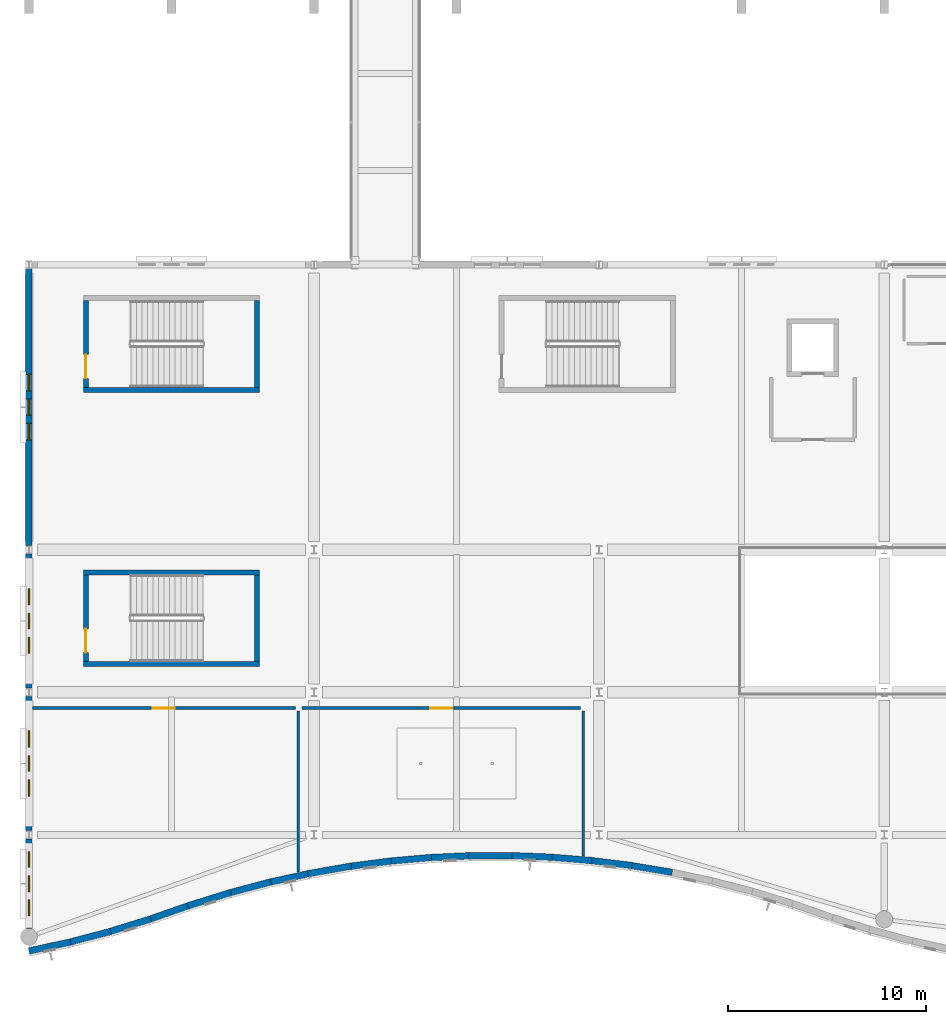
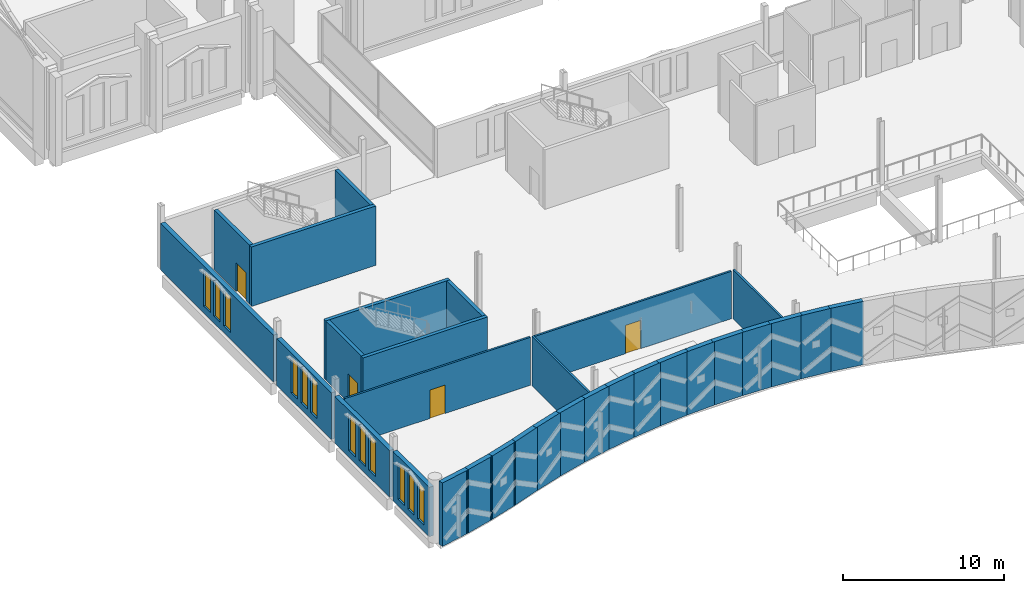
# One storey, part 148 of 220: 31 walls, 12 windows, 4 doors, 16 openings.
"""IFC4 building model written with IfcOpenShell, lengths in metres."""

from ifc_helpers import new_model, si_unit, direction, frame, frame_2d, origin, place, context, subcontext, project, spatial, rectangle, extrude, material, layer, layer_set, type_object, element, fill, save


model = new_model("IFC4")

# Units and contexts
model_context = context("Model", 3, precision=1e-05, world=origin(), true_north=direction((0.0, 1.0)))
body_context = subcontext(model_context, "Body", "Model", "MODEL_VIEW")
ifc_project = project(units=[si_unit("LENGTHUNIT", "METRE"), si_unit("AREAUNIT", "SQUARE_METRE"), si_unit("VOLUMEUNIT", "CUBIC_METRE"), si_unit("PLANEANGLEUNIT", "RADIAN"), si_unit("MASSUNIT", "GRAM", prefix="KILO")], contexts=[model_context])

# Site, building, storey
site_placement = place(None, origin())
site = spatial("IfcSite", under=ifc_project, at=site_placement, CompositionType="ELEMENT")
building_placement = place(site_placement, origin())
building = spatial("IfcBuilding", under=site, at=building_placement, Name="Cendralis Lancet Convention Centre", CompositionType="ELEMENT")
storey_placement = place(building_placement, frame((0.0, 0.0, 5.39990234375)))
storey = spatial("IfcBuildingStorey", under=building, at=storey_placement, Name="L01", CompositionType="ELEMENT", Elevation=5.39990234375)

# Wall, openings, windows
ifc_material_1 = material(Name="Buff sandstone ashlar and Concrete G40 (C40/50)", Category="masonry")
ifc_layer_1 = layer(ifc_material_1, 0.320068359375, Name="Buff sandstone ashlar and Concrete G40 (C40/50)")
ifc_layer_set_1 = layer_set([ifc_layer_1], Name="Buff sandstone ashlar and Concrete G40 (C40/50)")
wall_type_1 = type_object("IfcWallType", Name="ARC-EW-W320", PredefinedType="STANDARD", material=ifc_layer_set_1)
wall_1_placement = place(storey_placement, frame((0.0, 2.478515625, 0.0), z_axis=(0.0, 0.0, 1.0), x_axis=(0.0, 1.0, 0.0)))
wall_1 = element("IfcWall", 1, at=wall_1_placement, inside=storey, type_object=wall_type_1, Name="L01 V4 Exterior Wall EW-06 #0199", PredefinedType="STANDARD", context=body_context, shape_type="SweptSolid", body=[
    extrude(rectangle(XDim=4.513427734375, YDim=0.320068359375, at=frame_2d((2.2568359375, 0.0))), origin(), (0.0, 0.0, 1.0), 3.735107421875),
])
opening_1_placement = place(wall_1_placement, frame((0.63671875, 0.0, 0.5)))
opening_1 = element("IfcOpeningElement", 2, at=opening_1_placement, cuts=wall_1, Name="Opening WN-07", PredefinedType="OPENING", context=body_context, shape_type="SweptSolid", body=[
    extrude(rectangle(XDim=0.800048828125, YDim=2.75, at=frame_2d((0.39990234375, 1.375))), frame((0.0, 0.169921875, 0.0), z_axis=(0.0, -1.0, 0.0), x_axis=(1.0, 0.0, 0.0)), (0.0, 0.0, 1.0), 0.340087890625),
])
opening_2_placement = place(wall_1_placement, frame((1.856689453125, 0.0, 0.5)))
opening_2 = element("IfcOpeningElement", 3, at=opening_2_placement, cuts=wall_1, Name="Opening WN-07", PredefinedType="OPENING", context=body_context, shape_type="SweptSolid", body=[
    extrude(rectangle(XDim=0.800048828125, YDim=2.75, at=frame_2d((0.39990234375, 1.375))), frame((0.0, 0.169921875, 0.0), z_axis=(0.0, -1.0, 0.0), x_axis=(1.0, 0.0, 0.0)), (0.0, 0.0, 1.0), 0.340087890625),
])
opening_3_placement = place(wall_1_placement, frame((3.076904296875, 0.0, 0.5)))
opening_3 = element("IfcOpeningElement", 4, at=opening_3_placement, cuts=wall_1, Name="Opening WN-07", PredefinedType="OPENING", context=body_context, shape_type="SweptSolid", body=[
    extrude(rectangle(XDim=0.800048828125, YDim=2.75, at=frame_2d((0.39990234375, 1.375))), frame((0.0, 0.169921875, 0.0), z_axis=(0.0, -1.0, 0.0), x_axis=(1.0, 0.0, 0.0)), (0.0, 0.0, 1.0), 0.340087890625),
])
ifc_material_2 = material(Name="Double-glazed low-E solar-control glass", Category="glass")
window_type_1 = type_object("IfcWindowType", Name="ARC-WN-LW07", PartitioningType="SINGLE_PANEL", PredefinedType="WINDOW", material=ifc_material_2)
window_1_placement = place(opening_1_placement, origin())
window_1 = element("IfcWindow", 5, at=window_1_placement, inside=storey, type_object=window_type_1, Name="Gothic Lancet Window WN-07 #0388", OverallHeight=2.75, OverallWidth=0.800048828125, PartitioningType="SINGLE_PANEL", PredefinedType="WINDOW", context=body_context, shape_type="SweptSolid", body=[
    extrude(rectangle(XDim=0.800048828125, YDim=2.75, at=frame_2d((0.39990234375, 1.375))), frame((0.0, 0.030029296875, 0.0), z_axis=(0.0, -1.0, 0.0), x_axis=(1.0, 0.0, 0.0)), (0.0, 0.0, 1.0), 0.06005859375),
])
fill(opening_1, window_1)
window_2_placement = place(opening_2_placement, origin())
window_2 = element("IfcWindow", 6, at=window_2_placement, inside=storey, type_object=window_type_1, Name="Gothic Lancet Window WN-07 #0389", OverallHeight=2.75, OverallWidth=0.800048828125, PartitioningType="SINGLE_PANEL", PredefinedType="WINDOW", context=body_context, shape_type="SweptSolid", body=[
    extrude(rectangle(XDim=0.800048828125, YDim=2.75, at=frame_2d((0.39990234375, 1.375))), frame((0.0, 0.030029296875, 0.0), z_axis=(0.0, -1.0, 0.0), x_axis=(1.0, 0.0, 0.0)), (0.0, 0.0, 1.0), 0.06005859375),
])
fill(opening_2, window_2)
window_3_placement = place(opening_3_placement, origin())
window_3 = element("IfcWindow", 7, at=window_3_placement, inside=storey, type_object=window_type_1, Name="Gothic Lancet Window WN-07 #0390", OverallHeight=2.75, OverallWidth=0.800048828125, PartitioningType="SINGLE_PANEL", PredefinedType="WINDOW", context=body_context, shape_type="SweptSolid", body=[
    extrude(rectangle(XDim=0.800048828125, YDim=2.75, at=frame_2d((0.39990234375, 1.375))), frame((0.0, 0.030029296875, 0.0), z_axis=(0.0, -1.0, 0.0), x_axis=(1.0, 0.0, 0.0)), (0.0, 0.0, 1.0), 0.06005859375),
])
fill(opening_3, window_3)

wall_2_placement = place(storey_placement, frame((0.0, 7.407958984375, 0.0), z_axis=(0.0, 0.0, 1.0), x_axis=(0.0, 1.0, 0.0)))
wall_2 = element("IfcWall", 8, at=wall_2_placement, inside=storey, type_object=wall_type_1, Name="L01 V4 Exterior Wall EW-06 #0200", PredefinedType="STANDARD", context=body_context, shape_type="SweptSolid", body=[
    extrude(rectangle(XDim=6.783935546875, YDim=0.320068359375, at=frame_2d((3.39208984375, 0.0))), origin(), (0.0, 0.0, 1.0), 3.53515625),
])
opening_4_placement = place(wall_2_placement, frame((1.73193359375, 0.0, 0.5)))
opening_4 = element("IfcOpeningElement", 9, at=opening_4_placement, cuts=wall_2, Name="Opening WN-15", PredefinedType="OPENING", context=body_context, shape_type="SweptSolid", body=[
    extrude(rectangle(XDim=0.840087890625, YDim=2.699951171875, at=frame_2d((0.419921875, 1.35009765625))), frame((0.0, 0.169921875, 0.0), z_axis=(0.0, -1.0, 0.0), x_axis=(1.0, 0.0, 0.0)), (0.0, 0.0, 1.0), 0.340087890625),
])
opening_5_placement = place(wall_2_placement, frame((2.991943359375, 0.0, 0.5)))
opening_5 = element("IfcOpeningElement", 10, at=opening_5_placement, cuts=wall_2, Name="Opening WN-07", PredefinedType="OPENING", context=body_context, shape_type="SweptSolid", body=[
    extrude(rectangle(XDim=0.800048828125, YDim=2.75, at=frame_2d((0.39990234375, 1.375))), frame((0.0, 0.169921875, 0.0), z_axis=(0.0, -1.0, 0.0), x_axis=(1.0, 0.0, 0.0)), (0.0, 0.0, 1.0), 0.340087890625),
])
opening_6_placement = place(wall_2_placement, frame((4.2119140625, 0.0, 0.5)))
opening_6 = element("IfcOpeningElement", 11, at=opening_6_placement, cuts=wall_2, Name="Opening WN-15", PredefinedType="OPENING", context=body_context, shape_type="SweptSolid", body=[
    extrude(rectangle(XDim=0.840087890625, YDim=2.699951171875, at=frame_2d((0.419921875, 1.35009765625))), frame((0.0, 0.169921875, 0.0), z_axis=(0.0, -1.0, 0.0), x_axis=(1.0, 0.0, 0.0)), (0.0, 0.0, 1.0), 0.340087890625),
])
window_4_placement = place(opening_5_placement, origin())
window_4 = element("IfcWindow", 12, at=window_4_placement, inside=storey, type_object=window_type_1, Name="Gothic Lancet Window WN-07 #0392", OverallHeight=2.75, OverallWidth=0.800048828125, PartitioningType="SINGLE_PANEL", PredefinedType="WINDOW", context=body_context, shape_type="SweptSolid", body=[
    extrude(rectangle(XDim=0.800048828125, YDim=2.75, at=frame_2d((0.39990234375, 1.375))), frame((0.0, 0.030029296875, 0.0), z_axis=(0.0, -1.0, 0.0), x_axis=(1.0, 0.0, 0.0)), (0.0, 0.0, 1.0), 0.06005859375),
])
fill(opening_5, window_4)
window_type_2 = type_object("IfcWindowType", Name="ARC-WN-LW15", PartitioningType="SINGLE_PANEL", PredefinedType="WINDOW", material=ifc_material_2)
window_5_placement = place(opening_4_placement, origin())
window_5 = element("IfcWindow", 13, at=window_5_placement, inside=storey, type_object=window_type_2, Name="Gothic Lancet Window WN-15 #0391", OverallHeight=2.699951171875, OverallWidth=0.840087890625, PartitioningType="SINGLE_PANEL", PredefinedType="WINDOW", context=body_context, shape_type="SweptSolid", body=[
    extrude(rectangle(XDim=0.840087890625, YDim=2.699951171875, at=frame_2d((0.419921875, 1.35009765625))), frame((0.0, 0.030029296875, 0.0), z_axis=(0.0, -1.0, 0.0), x_axis=(1.0, 0.0, 0.0)), (0.0, 0.0, 1.0), 0.06005859375),
])
fill(opening_4, window_5)
window_6_placement = place(opening_6_placement, origin())
window_6 = element("IfcWindow", 14, at=window_6_placement, inside=storey, type_object=window_type_2, Name="Gothic Lancet Window WN-15 #0393", OverallHeight=2.699951171875, OverallWidth=0.840087890625, PartitioningType="SINGLE_PANEL", PredefinedType="WINDOW", context=body_context, shape_type="SweptSolid", body=[
    extrude(rectangle(XDim=0.840087890625, YDim=2.699951171875, at=frame_2d((0.419921875, 1.35009765625))), frame((0.0, 0.030029296875, 0.0), z_axis=(0.0, -1.0, 0.0), x_axis=(1.0, 0.0, 0.0)), (0.0, 0.0, 1.0), 0.06005859375),
])
fill(opening_6, window_6)

wall_3_placement = place(storey_placement, frame((0.0, 14.60791015625, 0.0), z_axis=(0.0, 0.0, 1.0), x_axis=(0.0, 1.0, 0.0)))
wall_3 = element("IfcWall", 15, at=wall_3_placement, inside=storey, type_object=wall_type_1, Name="L01 V4 Exterior Wall EW-06 #0201", PredefinedType="STANDARD", context=body_context, shape_type="SweptSolid", body=[
    extrude(rectangle(XDim=6.7841796875, YDim=0.320068359375, at=frame_2d((3.39208984375, 0.0))), origin(), (0.0, 0.0, 1.0), 3.53515625),
])
opening_7_placement = place(wall_3_placement, frame((1.77197265625, 0.0, 0.5)))
opening_7 = element("IfcOpeningElement", 16, at=opening_7_placement, cuts=wall_3, Name="Opening WN-07", PredefinedType="OPENING", context=body_context, shape_type="SweptSolid", body=[
    extrude(rectangle(XDim=0.800048828125, YDim=2.75, at=frame_2d((0.39990234375, 1.375))), frame((0.0, 0.169921875, 0.0), z_axis=(0.0, -1.0, 0.0), x_axis=(1.0, 0.0, 0.0)), (0.0, 0.0, 1.0), 0.340087890625),
])
opening_8_placement = place(wall_3_placement, frame((2.991943359375, 0.0, 0.5)))
opening_8 = element("IfcOpeningElement", 17, at=opening_8_placement, cuts=wall_3, Name="Opening WN-07", PredefinedType="OPENING", context=body_context, shape_type="SweptSolid", body=[
    extrude(rectangle(XDim=0.800048828125, YDim=2.75, at=frame_2d((0.39990234375, 1.375))), frame((0.0, 0.169921875, 0.0), z_axis=(0.0, -1.0, 0.0), x_axis=(1.0, 0.0, 0.0)), (0.0, 0.0, 1.0), 0.340087890625),
])
opening_9_placement = place(wall_3_placement, frame((4.2119140625, 0.0, 0.5)))
opening_9 = element("IfcOpeningElement", 18, at=opening_9_placement, cuts=wall_3, Name="Opening WN-07", PredefinedType="OPENING", context=body_context, shape_type="SweptSolid", body=[
    extrude(rectangle(XDim=0.800048828125, YDim=2.75, at=frame_2d((0.39990234375, 1.375))), frame((0.0, 0.169921875, 0.0), z_axis=(0.0, -1.0, 0.0), x_axis=(1.0, 0.0, 0.0)), (0.0, 0.0, 1.0), 0.340087890625),
])
window_7_placement = place(opening_7_placement, origin())
window_7 = element("IfcWindow", 19, at=window_7_placement, inside=storey, type_object=window_type_1, Name="Gothic Lancet Window WN-07 #0394", OverallHeight=2.75, OverallWidth=0.800048828125, PartitioningType="SINGLE_PANEL", PredefinedType="WINDOW", context=body_context, shape_type="SweptSolid", body=[
    extrude(rectangle(XDim=0.800048828125, YDim=2.75, at=frame_2d((0.39990234375, 1.375))), frame((0.0, 0.030029296875, 0.0), z_axis=(0.0, -1.0, 0.0), x_axis=(1.0, 0.0, 0.0)), (0.0, 0.0, 1.0), 0.06005859375),
])
fill(opening_7, window_7)
window_8_placement = place(opening_8_placement, origin())
window_8 = element("IfcWindow", 20, at=window_8_placement, inside=storey, type_object=window_type_1, Name="Gothic Lancet Window WN-07 #0395", OverallHeight=2.75, OverallWidth=0.800048828125, PartitioningType="SINGLE_PANEL", PredefinedType="WINDOW", context=body_context, shape_type="SweptSolid", body=[
    extrude(rectangle(XDim=0.800048828125, YDim=2.75, at=frame_2d((0.39990234375, 1.375))), frame((0.0, 0.030029296875, 0.0), z_axis=(0.0, -1.0, 0.0), x_axis=(1.0, 0.0, 0.0)), (0.0, 0.0, 1.0), 0.06005859375),
])
fill(opening_8, window_8)
window_9_placement = place(opening_9_placement, origin())
window_9 = element("IfcWindow", 21, at=window_9_placement, inside=storey, type_object=window_type_1, Name="Gothic Lancet Window WN-07 #0396", OverallHeight=2.75, OverallWidth=0.800048828125, PartitioningType="SINGLE_PANEL", PredefinedType="WINDOW", context=body_context, shape_type="SweptSolid", body=[
    extrude(rectangle(XDim=0.800048828125, YDim=2.75, at=frame_2d((0.39990234375, 1.375))), frame((0.0, 0.030029296875, 0.0), z_axis=(0.0, -1.0, 0.0), x_axis=(1.0, 0.0, 0.0)), (0.0, 0.0, 1.0), 0.06005859375),
])
fill(opening_9, window_9)

wall_4_placement = place(storey_placement, frame((0.0, 21.80810546875, 0.0), z_axis=(0.0, 0.0, 1.0), x_axis=(0.0, 1.0, 0.0)))
wall_4 = element("IfcWall", 22, at=wall_4_placement, inside=storey, type_object=wall_type_1, Name="L01 V4 Exterior Wall EW-06 #0202", PredefinedType="STANDARD", context=body_context, shape_type="SweptSolid", body=[
    extrude(rectangle(XDim=13.98388671875, YDim=0.320068359375, at=frame_2d((6.991943359375, 0.0))), origin(), (0.0, 0.0, 1.0), 3.53515625),
])
opening_10_placement = place(wall_4_placement, frame((5.33203125, 0.0, 0.5)))
opening_10 = element("IfcOpeningElement", 23, at=opening_10_placement, cuts=wall_4, Name="Opening WN-15", PredefinedType="OPENING", context=body_context, shape_type="SweptSolid", body=[
    extrude(rectangle(XDim=0.840087890625, YDim=2.699951171875, at=frame_2d((0.419921875, 1.35009765625))), frame((0.0, 0.169921875, 0.0), z_axis=(0.0, -1.0, 0.0), x_axis=(1.0, 0.0, 0.0)), (0.0, 0.0, 1.0), 0.340087890625),
])
opening_11_placement = place(wall_4_placement, frame((6.592041015625, 0.0, 0.5)))
opening_11 = element("IfcOpeningElement", 24, at=opening_11_placement, cuts=wall_4, Name="Opening WN-07", PredefinedType="OPENING", context=body_context, shape_type="SweptSolid", body=[
    extrude(rectangle(XDim=0.800048828125, YDim=2.75, at=frame_2d((0.39990234375, 1.375))), frame((0.0, 0.169921875, 0.0), z_axis=(0.0, -1.0, 0.0), x_axis=(1.0, 0.0, 0.0)), (0.0, 0.0, 1.0), 0.340087890625),
])
opening_12_placement = place(wall_4_placement, frame((7.81201171875, 0.0, 0.5)))
opening_12 = element("IfcOpeningElement", 25, at=opening_12_placement, cuts=wall_4, Name="Opening WN-15", PredefinedType="OPENING", context=body_context, shape_type="SweptSolid", body=[
    extrude(rectangle(XDim=0.840087890625, YDim=2.699951171875, at=frame_2d((0.419921875, 1.35009765625))), frame((0.0, 0.169921875, 0.0), z_axis=(0.0, -1.0, 0.0), x_axis=(1.0, 0.0, 0.0)), (0.0, 0.0, 1.0), 0.340087890625),
])
window_10_placement = place(opening_11_placement, origin())
window_10 = element("IfcWindow", 26, at=window_10_placement, inside=storey, type_object=window_type_1, Name="Gothic Lancet Window WN-07 #0398", OverallHeight=2.75, OverallWidth=0.800048828125, PartitioningType="SINGLE_PANEL", PredefinedType="WINDOW", context=body_context, shape_type="SweptSolid", body=[
    extrude(rectangle(XDim=0.800048828125, YDim=2.75, at=frame_2d((0.39990234375, 1.375))), frame((0.0, 0.030029296875, 0.0), z_axis=(0.0, -1.0, 0.0), x_axis=(1.0, 0.0, 0.0)), (0.0, 0.0, 1.0), 0.06005859375),
])
fill(opening_11, window_10)
window_11_placement = place(opening_10_placement, origin())
window_11 = element("IfcWindow", 27, at=window_11_placement, inside=storey, type_object=window_type_2, Name="Gothic Lancet Window WN-15 #0397", OverallHeight=2.699951171875, OverallWidth=0.840087890625, PartitioningType="SINGLE_PANEL", PredefinedType="WINDOW", context=body_context, shape_type="SweptSolid", body=[
    extrude(rectangle(XDim=0.840087890625, YDim=2.699951171875, at=frame_2d((0.419921875, 1.35009765625))), frame((0.0, 0.030029296875, 0.0), z_axis=(0.0, -1.0, 0.0), x_axis=(1.0, 0.0, 0.0)), (0.0, 0.0, 1.0), 0.06005859375),
])
fill(opening_10, window_11)
window_12_placement = place(opening_12_placement, origin())
window_12 = element("IfcWindow", 28, at=window_12_placement, inside=storey, type_object=window_type_2, Name="Gothic Lancet Window WN-15 #0399", OverallHeight=2.699951171875, OverallWidth=0.840087890625, PartitioningType="SINGLE_PANEL", PredefinedType="WINDOW", context=body_context, shape_type="SweptSolid", body=[
    extrude(rectangle(XDim=0.840087890625, YDim=2.699951171875, at=frame_2d((0.419921875, 1.35009765625))), frame((0.0, 0.030029296875, 0.0), z_axis=(0.0, -1.0, 0.0), x_axis=(1.0, 0.0, 0.0)), (0.0, 0.0, 1.0), 0.06005859375),
])
fill(opening_12, window_12)

# Walls
ifc_layer_2 = layer(ifc_material_1, 0.340087890625, Name="Buff sandstone ashlar and Concrete G40 (C40/50)")
ifc_layer_set_2 = layer_set([ifc_layer_2], Name="Buff sandstone ashlar and Concrete G40 (C40/50)")
wall_type_2 = type_object("IfcWallType", Name="ARC-EW-W340", PredefinedType="STANDARD", material=ifc_layer_set_2)
wall_5_placement = place(storey_placement, frame((0.0, 1.324951171875, 0.0), z_axis=(0.0, 0.0, 1.0), x_axis=(0.977391411292, 0.211438003045, 0.0)))
element("IfcWall", 29, at=wall_5_placement, inside=storey, type_object=wall_type_2, Name="South Boulevard Wave Wall L01 WP-001-WP-002", PredefinedType="STANDARD", context=body_context, shape_type="SweptSolid", body=[
    extrude(rectangle(XDim=2.156982421875, YDim=0.340087890625, at=frame_2d((1.07861328125, 0.0))), origin(), (0.0, 0.0, 1.0), 4.800048828125),
])
wall_6_placement = place(storey_placement, frame((1.94287109375, 1.741455078125, 0.0), z_axis=(0.0, 0.0, 1.0), x_axis=(0.967279624391, 0.253712688365, 0.0)))
element("IfcWall", 30, at=wall_6_placement, inside=storey, type_object=wall_type_2, Name="South Boulevard Wave Wall L01 WP-002-WP-003", PredefinedType="STANDARD", context=body_context, shape_type="SweptSolid", body=[
    extrude(rectangle(XDim=2.26318359375, YDim=0.340087890625, at=frame_2d((1.131591796875, 0.0))), origin(), (0.0, 0.0, 1.0), 4.800048828125),
])
wall_7_placement = place(storey_placement, frame((3.96875, 2.268798828125, 0.0), z_axis=(0.0, 0.0, 1.0), x_axis=(0.955303090407, 0.295628154037, 0.0)))
element("IfcWall", 31, at=wall_7_placement, inside=storey, type_object=wall_type_2, Name="South Boulevard Wave Wall L01 WP-003-WP-004", PredefinedType="STANDARD", context=body_context, shape_type="SweptSolid", body=[
    extrude(rectangle(XDim=2.290771484375, YDim=0.340087890625, at=frame_2d((1.1455078125, 0.0))), origin(), (0.0, 0.0, 1.0), 4.800048828125),
])
wall_8_placement = place(storey_placement, frame((5.99560546875, 2.89306640625, 0.0), z_axis=(0.0, 0.0, 1.0), x_axis=(0.94443416272, 0.328700642359, 0.0)))
element("IfcWall", 32, at=wall_8_placement, inside=storey, type_object=wall_type_2, Name="South Boulevard Wave Wall L01 WP-004-WP-005", PredefinedType="STANDARD", context=body_context, shape_type="SweptSolid", body=[
    extrude(rectangle(XDim=2.314453125, YDim=0.340087890625, at=frame_2d((1.1572265625, 0.0))), origin(), (0.0, 0.0, 1.0), 4.800048828125),
])
wall_9_placement = place(storey_placement, frame((8.02001953125, 3.6005859375, 0.0), z_axis=(0.0, 0.0, 1.0), x_axis=(0.954309219856, 0.29882087092, 0.0)))
element("IfcWall", 33, at=wall_9_placement, inside=storey, type_object=wall_type_2, Name="South Boulevard Wave Wall L01 WP-005-WP-006", PredefinedType="STANDARD", context=body_context, shape_type="SweptSolid", body=[
    extrude(rectangle(XDim=2.291748046875, YDim=0.340087890625, at=frame_2d((1.14599609375, 0.0))), origin(), (0.0, 0.0, 1.0), 4.800048828125),
])
wall_10_placement = place(storey_placement, frame((10.043701171875, 4.23828125, 0.0), z_axis=(0.0, 0.0, 1.0), x_axis=(0.966488469337, 0.256710028318, 0.0)))
element("IfcWall", 34, at=wall_10_placement, inside=storey, type_object=wall_type_2, Name="South Boulevard Wave Wall L01 WP-006-WP-007", PredefinedType="STANDARD", context=body_context, shape_type="SweptSolid", body=[
    extrude(rectangle(XDim=2.265380859375, YDim=0.340087890625, at=frame_2d((1.1328125, 0.0))), origin(), (0.0, 0.0, 1.0), 4.800048828125),
])
wall_11_placement = place(storey_placement, frame((12.068115234375, 4.77978515625, 0.0), z_axis=(0.0, 0.0, 1.0), x_axis=(0.976716550921, 0.214533864827, 0.0)))
element("IfcWall", 35, at=wall_11_placement, inside=storey, type_object=wall_type_2, Name="South Boulevard Wave Wall L01 WP-007-WP-008", PredefinedType="STANDARD", context=body_context, shape_type="SweptSolid", body=[
    extrude(rectangle(XDim=2.244140625, YDim=0.340087890625, at=frame_2d((1.1220703125, 0.0))), origin(), (0.0, 0.0, 1.0), 4.800048828125),
])
wall_12_placement = place(storey_placement, frame((14.09326171875, 5.228271484375, 0.0), z_axis=(0.0, 0.0, 1.0), x_axis=(0.984965211382, 0.172752807119, 0.0)))
element("IfcWall", 36, at=wall_12_placement, inside=storey, type_object=wall_type_2, Name="South Boulevard Wave Wall L01 WP-008-WP-009", PredefinedType="STANDARD", context=body_context, shape_type="SweptSolid", body=[
    extrude(rectangle(XDim=2.225830078125, YDim=0.340087890625, at=frame_2d((1.11279296875, 0.0))), origin(), (0.0, 0.0, 1.0), 4.800048828125),
])
wall_13_placement = place(storey_placement, frame((16.11767578125, 5.5869140625, 0.0), z_axis=(0.0, 0.0, 1.0), x_axis=(0.991486191208, 0.130211875974, 0.0)))
element("IfcWall", 37, at=wall_13_placement, inside=storey, type_object=wall_type_2, Name="South Boulevard Wave Wall L01 WP-009-WP-010", PredefinedType="STANDARD", context=body_context, shape_type="SweptSolid", body=[
    extrude(rectangle(XDim=2.21240234375, YDim=0.340087890625, at=frame_2d((1.106201171875, 0.0))), origin(), (0.0, 0.0, 1.0), 4.800048828125),
])
wall_14_placement = place(storey_placement, frame((18.142333984375, 5.8564453125, 0.0), z_axis=(0.0, 0.0, 1.0), x_axis=(0.996110991358, 0.088107280611, 0.0)))
element("IfcWall", 38, at=wall_14_placement, inside=storey, type_object=wall_type_2, Name="South Boulevard Wave Wall L01 WP-010-WP-011", PredefinedType="STANDARD", context=body_context, shape_type="SweptSolid", body=[
    extrude(rectangle(XDim=2.202880859375, YDim=0.340087890625, at=frame_2d((1.1015625, 0.0))), origin(), (0.0, 0.0, 1.0), 4.800048828125),
])
wall_15_placement = place(storey_placement, frame((20.1669921875, 6.0390625, 0.0), z_axis=(0.0, 0.0, 1.0), x_axis=(0.998967623962, 0.045427813898, 0.0)))
element("IfcWall", 39, at=wall_15_placement, inside=storey, type_object=wall_type_2, Name="South Boulevard Wave Wall L01 WP-011-WP-012", PredefinedType="STANDARD", context=body_context, shape_type="SweptSolid", body=[
    extrude(rectangle(XDim=2.197998046875, YDim=0.340087890625, at=frame_2d((1.09912109375, 0.0))), origin(), (0.0, 0.0, 1.0), 4.800048828125),
])
wall_16_placement = place(storey_placement, frame((22.193115234375, 6.134765625, 0.0), z_axis=(0.0, 0.0, 1.0), x_axis=(0.999992421526, 0.003893185178, 0.0)))
element("IfcWall", 40, at=wall_16_placement, inside=storey, type_object=wall_type_2, Name="South Boulevard Wave Wall L01 WP-012-WP-013", PredefinedType="STANDARD", context=body_context, shape_type="SweptSolid", body=[
    extrude(rectangle(XDim=2.19482421875, YDim=0.340087890625, at=frame_2d((1.097412109375, 0.0))), origin(), (0.0, 0.0, 1.0), 4.800048828125),
])
wall_17_placement = place(storey_placement, frame((24.218017578125, 6.146240234375, 0.0), z_axis=(0.0, 0.0, 1.0), x_axis=(0.999243004404, -0.038902675366, 0.0)))
element("IfcWall", 41, at=wall_17_placement, inside=storey, type_object=wall_type_2, Name="South Boulevard Wave Wall L01 WP-013-WP-014", PredefinedType="STANDARD", context=body_context, shape_type="SweptSolid", body=[
    extrude(rectangle(XDim=2.196533203125, YDim=0.340087890625, at=frame_2d((1.09814453125, 0.0))), origin(), (0.0, 0.0, 1.0), 4.800048828125),
])
wall_18_placement = place(storey_placement, frame((26.243408203125, 6.07080078125, 0.0), z_axis=(0.0, 0.0, 1.0), x_axis=(0.996735804633, -0.080732495079, 0.0)))
element("IfcWall", 42, at=wall_18_placement, inside=storey, type_object=wall_type_2, Name="South Boulevard Wave Wall L01 WP-014-WP-015", PredefinedType="STANDARD", context=body_context, shape_type="SweptSolid", body=[
    extrude(rectangle(XDim=2.201416015625, YDim=0.340087890625, at=frame_2d((1.1005859375, 0.0))), origin(), (0.0, 0.0, 1.0), 4.800048828125),
])
wall_19_placement = place(storey_placement, frame((28.2685546875, 5.910400390625, 0.0), z_axis=(0.0, 0.0, 1.0), x_axis=(0.992403097248, -0.123028828214, 0.0)))
element("IfcWall", 43, at=wall_19_placement, inside=storey, type_object=wall_type_2, Name="South Boulevard Wave Wall L01 WP-015-WP-016", PredefinedType="STANDARD", context=body_context, shape_type="SweptSolid", body=[
    extrude(rectangle(XDim=2.210693359375, YDim=0.340087890625, at=frame_2d((1.10546875, 0.0))), origin(), (0.0, 0.0, 1.0), 4.800048828125),
])
wall_20_placement = place(storey_placement, frame((30.294189453125, 5.6630859375, 0.0), z_axis=(0.0, 0.0, 1.0), x_axis=(0.986277976668, -0.165093163818, 0.0)))
element("IfcWall", 44, at=wall_20_placement, inside=storey, type_object=wall_type_2, Name="South Boulevard Wave Wall L01 WP-016-WP-017", PredefinedType="STANDARD", context=body_context, shape_type="SweptSolid", body=[
    extrude(rectangle(XDim=2.22412109375, YDim=0.340087890625, at=frame_2d((1.112060546875, 0.0))), origin(), (0.0, 0.0, 1.0), 4.800048828125),
])

# Wall, opening, door
ifc_material_3 = material(Name="Acoustic fire-rated gypsum board on steel studs", Category="steel")
ifc_layer_3 = layer(ifc_material_3, 0.139892578125, Name="Acoustic fire-rated gypsum board on steel studs")
ifc_layer_set_3 = layer_set([ifc_layer_3], Name="Acoustic fire-rated gypsum board on steel studs")
wall_type_3 = type_object("IfcWallType", Name="ARC-IW-P140", PredefinedType="PARTITIONING", material=ifc_layer_set_3)
wall_21_placement = place(storey_placement, frame((0.169921875, 13.60009765625, 0.0), z_axis=(0.0, 0.0, 1.0), x_axis=(1.0, 0.0, 0.0)))
wall_21 = element("IfcWall", 45, at=wall_21_placement, inside=storey, type_object=wall_type_3, Name="L01 Interior Partition IW-04 #0227", PredefinedType="PARTITIONING", context=body_context, shape_type="SweptSolid", body=[
    extrude(rectangle(XDim=13.2900390625, YDim=0.139892578125, at=frame_2d((6.64501953125, 0.0))), origin(), (0.0, 0.0, 1.0), 3.635009765625),
])
opening_13_placement = place(wall_21_placement, frame((6.094970703125, 0.0, 0.0)))
opening_13 = element("IfcOpeningElement", 46, at=opening_13_placement, cuts=wall_21, Name="Opening FD-11", PredefinedType="OPENING", context=body_context, shape_type="SweptSolid", body=[
    extrude(rectangle(XDim=1.10009765625, YDim=2.14990234375, at=frame_2d((0.550048828125, 1.074951171875))), frame((0.0, 0.079833984375, 0.0), z_axis=(0.0, -1.0, 0.0), x_axis=(1.0, 0.0, 0.0)), (0.0, 0.0, 1.0), 0.159912109375),
])
ifc_material_4 = material(Name="Steel S355", Category="steel")
door_type_1 = type_object("IfcDoorType", Name="ARC-DR-FF11", OperationType="NOTDEFINED", PredefinedType="DOOR", material=ifc_material_4)
door_1_placement = place(opening_13_placement, frame((1.10009765625, 0.0, 0.0), z_axis=(0.0, 0.0, 1.0), x_axis=(-1.0, 0.0, 0.0)))
door_1 = element("IfcDoor", 47, at=door_1_placement, inside=storey, type_object=door_type_1, Name="L01-D024 L01 Interior Door FD-11 #0075", OperationType="SINGLE_SWING_RIGHT", OverallHeight=2.14990234375, OverallWidth=1.10009765625, PredefinedType="DOOR", context=body_context, shape_type="SweptSolid", body=[
    extrude(rectangle(XDim=1.10009765625, YDim=2.14990234375, at=frame_2d((0.550048828125, 1.074951171875))), frame((0.0, 0.02490234375, 0.0), z_axis=(0.0, -1.0, 0.0), x_axis=(1.0, 0.0, 0.0)), (0.0, 0.0, 1.0), 0.050048828125),
])
fill(opening_13, door_1)

# Wall
wall_22_placement = place(storey_placement, frame((13.60009765625, 5.316162109375, 0.0), z_axis=(0.0, 0.0, 1.0), x_axis=(0.0, 1.0, 0.0)))
element("IfcWall", 48, at=wall_22_placement, inside=storey, type_object=wall_type_3, Name="L01 Interior Partition IW-04 #0228", PredefinedType="PARTITIONING", context=body_context, shape_type="SweptSolid", body=[
    extrude(rectangle(XDim=8.143798828125, YDim=0.139892578125, at=frame_2d((4.07177734375, 0.0))), origin(), (0.0, 0.0, 1.0), 3.735107421875),
])

# Wall, opening, door
wall_23_placement = place(storey_placement, frame((13.800048828125, 13.60009765625, 0.0), z_axis=(0.0, 0.0, 1.0), x_axis=(1.0, 0.0, 0.0)))
wall_23 = element("IfcWall", 49, at=wall_23_placement, inside=storey, type_object=wall_type_3, Name="L01 Interior Partition IW-04 #0229", PredefinedType="PARTITIONING", context=body_context, shape_type="SweptSolid", body=[
    extrude(rectangle(XDim=14.06005859375, YDim=0.139892578125, at=frame_2d((7.030029296875, 0.0))), origin(), (0.0, 0.0, 1.0), 3.585205078125),
])
opening_14_placement = place(wall_23_placement, frame((6.47998046875, 0.0, 0.0)))
opening_14 = element("IfcOpeningElement", 50, at=opening_14_placement, cuts=wall_23, Name="Opening FD-11", PredefinedType="OPENING", context=body_context, shape_type="SweptSolid", body=[
    extrude(rectangle(XDim=1.10009765625, YDim=2.14990234375, at=frame_2d((0.550048828125, 1.074951171875))), frame((0.0, 0.079833984375, 0.0), z_axis=(0.0, -1.0, 0.0), x_axis=(1.0, 0.0, 0.0)), (0.0, 0.0, 1.0), 0.159912109375),
])
door_2_placement = place(opening_14_placement, origin())
door_2 = element("IfcDoor", 51, at=door_2_placement, inside=storey, type_object=door_type_1, Name="L01-D025 L01 Interior Door FD-11 #0076", OperationType="SINGLE_SWING_LEFT", OverallHeight=2.14990234375, OverallWidth=1.10009765625, PredefinedType="DOOR", context=body_context, shape_type="SweptSolid", body=[
    extrude(rectangle(XDim=1.10009765625, YDim=2.14990234375, at=frame_2d((0.550048828125, 1.074951171875))), frame((0.0, 0.02490234375, 0.0), z_axis=(0.0, -1.0, 0.0), x_axis=(1.0, 0.0, 0.0)), (0.0, 0.0, 1.0), 0.050048828125),
])
fill(opening_14, door_2)

# Wall
wall_24_placement = place(storey_placement, frame((28.0, 6.125, 0.0), z_axis=(0.0, 0.0, 1.0), x_axis=(0.0, 1.0, 0.0)))
element("IfcWall", 52, at=wall_24_placement, inside=storey, type_object=wall_type_3, Name="L01 Interior Partition IW-04 #0230", PredefinedType="PARTITIONING", context=body_context, shape_type="SweptSolid", body=[
    extrude(rectangle(XDim=7.3349609375, YDim=0.139892578125, at=frame_2d((3.66748046875, 0.0))), origin(), (0.0, 0.0, 1.0), 3.735107421875),
])

# Wall, opening, door
ifc_material_5 = material(Name="Concrete G40 (C40/50)", Category="concrete")
ifc_layer_4 = layer(ifc_material_5, 0.25, Name="Concrete G40 (C40/50)")
ifc_layer_set_4 = layer_set([ifc_layer_4], Name="Concrete G40 (C40/50)")
wall_type_4 = type_object("IfcWallType", Name="STR-SW-CW250", PredefinedType="SHEAR", material=ifc_layer_set_4)
wall_25_placement = place(storey_placement, frame((2.875, 15.949951171875, 0.0), z_axis=(0.0, 0.0, 1.0), x_axis=(0.0, 1.0, 0.0)))
wall_25 = element("IfcWall", 53, at=wall_25_placement, inside=storey, type_object=wall_type_4, Name="L01 Stair Core ST-17 West Shear Wall", PredefinedType="SHEAR", context=body_context, shape_type="SweptSolid", body=[
    extrude(rectangle(XDim=4.380126953125, YDim=0.25, at=frame_2d((2.18994140625, 0.0))), origin(), (0.0, 0.0, 1.0), 4.5),
])
opening_15_placement = place(wall_25_placement, frame((0.449951171875, 0.0, 0.0)))
opening_15 = element("IfcOpeningElement", 54, at=opening_15_placement, cuts=wall_25, Name="Opening SD-12", PredefinedType="OPENING", context=body_context, shape_type="SweptSolid", body=[
    extrude(rectangle(XDim=1.199951171875, YDim=2.14990234375, at=frame_2d((0.60009765625, 1.074951171875))), frame((0.0, 0.135009765625, 0.0), z_axis=(0.0, -1.0, 0.0), x_axis=(1.0, 0.0, 0.0)), (0.0, 0.0, 1.0), 0.27001953125),
])
door_type_2 = type_object("IfcDoorType", Name="ARC-DR-ST12", OperationType="NOTDEFINED", PredefinedType="DOOR", material=ifc_material_4)
door_3_placement = place(opening_15_placement, frame((1.199951171875, 0.0, 0.0), z_axis=(0.0, 0.0, 1.0), x_axis=(-1.0, 0.0, 0.0)))
door_3 = element("IfcDoor", 55, at=door_3_placement, inside=storey, type_object=door_type_2, Name="L01-D084 L01 Exit Stair ST-17 Fire Door", OperationType="SINGLE_SWING_RIGHT", OverallHeight=2.14990234375, OverallWidth=1.199951171875, PredefinedType="DOOR", context=body_context, shape_type="SweptSolid", body=[
    extrude(rectangle(XDim=1.199951171875, YDim=2.14990234375, at=frame_2d((0.60009765625, 1.074951171875))), frame((0.0, 0.02490234375, 0.0), z_axis=(0.0, -1.0, 0.0), x_axis=(1.0, 0.0, 0.0)), (0.0, 0.0, 1.0), 0.050048828125),
])
fill(opening_15, door_3)

# Walls
wall_26_placement = place(storey_placement, frame((11.52490234375, 15.949951171875, 0.0), z_axis=(0.0, 0.0, 1.0), x_axis=(0.0, 1.0, 0.0)))
element("IfcWall", 56, at=wall_26_placement, inside=storey, type_object=wall_type_4, Name="L01 Stair Core ST-17 East Shear Wall", PredefinedType="SHEAR", context=body_context, shape_type="SweptSolid", body=[
    extrude(rectangle(XDim=4.380126953125, YDim=0.25, at=frame_2d((2.18994140625, 0.0))), origin(), (0.0, 0.0, 1.0), 4.5),
])
for number, where, z_axis, x_axis, name in (
    (57, (2.75, 15.824951171875, 0.0), (0.0, 0.0, 1.0), (1.0, 0.0, 0.0), "L01 Stair Core ST-17 South Shear Wall"),
    (58, (2.75, 20.455078125, 0.0), (0.0, 0.0, 1.0), (1.0, 0.0, 0.0), "L01 Stair Core ST-17 North Shear Wall"),
):
    element("IfcWall", number, at=place(storey_placement, frame(where, z_axis=z_axis, x_axis=x_axis)), inside=storey, type_object=wall_type_4, Name=name, PredefinedType="SHEAR", context=body_context, shape_type="SweptSolid", body=[
        extrude(rectangle(XDim=8.89990234375, YDim=0.25, at=frame_2d((4.449951171875, 0.0))), origin(), (0.0, 0.0, 1.0), 4.5),
    ])

# Wall, opening, door
wall_27_placement = place(storey_placement, frame((2.875, 29.800048828125, 0.0), z_axis=(0.0, 0.0, 1.0), x_axis=(0.0, 1.0, 0.0)))
wall_27 = element("IfcWall", 59, at=wall_27_placement, inside=storey, type_object=wall_type_4, Name="L01 Stair Core ST-20 West Shear Wall", PredefinedType="SHEAR", context=body_context, shape_type="SweptSolid", body=[
    extrude(rectangle(XDim=4.3798828125, YDim=0.25, at=frame_2d((2.18994140625, 0.0))), origin(), (0.0, 0.0, 1.0), 4.5),
])
opening_16_placement = place(wall_27_placement, frame((0.449951171875, 0.0, 0.0)))
opening_16 = element("IfcOpeningElement", 60, at=opening_16_placement, cuts=wall_27, Name="Opening SD-12", PredefinedType="OPENING", context=body_context, shape_type="SweptSolid", body=[
    extrude(rectangle(XDim=1.199951171875, YDim=2.14990234375, at=frame_2d((0.60009765625, 1.074951171875))), frame((0.0, 0.135009765625, 0.0), z_axis=(0.0, -1.0, 0.0), x_axis=(1.0, 0.0, 0.0)), (0.0, 0.0, 1.0), 0.27001953125),
])
door_4_placement = place(opening_16_placement, frame((1.199951171875, 0.0, 0.0), z_axis=(0.0, 0.0, 1.0), x_axis=(-1.0, 0.0, 0.0)))
door_4 = element("IfcDoor", 61, at=door_4_placement, inside=storey, type_object=door_type_2, Name="L01-D087 L01 Exit Stair ST-20 Fire Door", OperationType="SINGLE_SWING_LEFT", OverallHeight=2.14990234375, OverallWidth=1.199951171875, PredefinedType="DOOR", context=body_context, shape_type="SweptSolid", body=[
    extrude(rectangle(XDim=1.199951171875, YDim=2.14990234375, at=frame_2d((0.60009765625, 1.074951171875))), frame((0.0, 0.02490234375, 0.0), z_axis=(0.0, -1.0, 0.0), x_axis=(1.0, 0.0, 0.0)), (0.0, 0.0, 1.0), 0.050048828125),
])
fill(opening_16, door_4)

# Walls
wall_28_placement = place(storey_placement, frame((11.52490234375, 29.800048828125, 0.0), z_axis=(0.0, 0.0, 1.0), x_axis=(0.0, 1.0, 0.0)))
element("IfcWall", 62, at=wall_28_placement, inside=storey, type_object=wall_type_4, Name="L01 Stair Core ST-20 East Shear Wall", PredefinedType="SHEAR", context=body_context, shape_type="SweptSolid", body=[
    extrude(rectangle(XDim=4.3798828125, YDim=0.25, at=frame_2d((2.18994140625, 0.0))), origin(), (0.0, 0.0, 1.0), 4.5),
])
wall_29_placement = place(storey_placement, frame((2.75, 29.675048828125, 0.0), z_axis=(0.0, 0.0, 1.0), x_axis=(1.0, 0.0, 0.0)))
element("IfcWall", 63, at=wall_29_placement, inside=storey, type_object=wall_type_4, Name="L01 Stair Core ST-20 South Shear Wall", PredefinedType="SHEAR", context=body_context, shape_type="SweptSolid", body=[
    extrude(rectangle(XDim=8.89990234375, YDim=0.25, at=frame_2d((4.449951171875, 0.0))), origin(), (0.0, 0.0, 1.0), 4.5),
])

save(model, "model.ifc")
